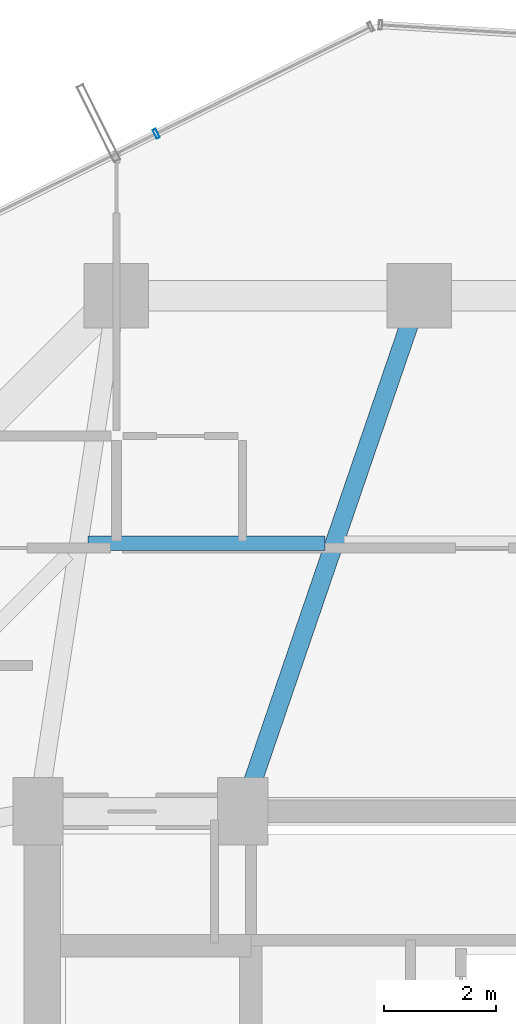
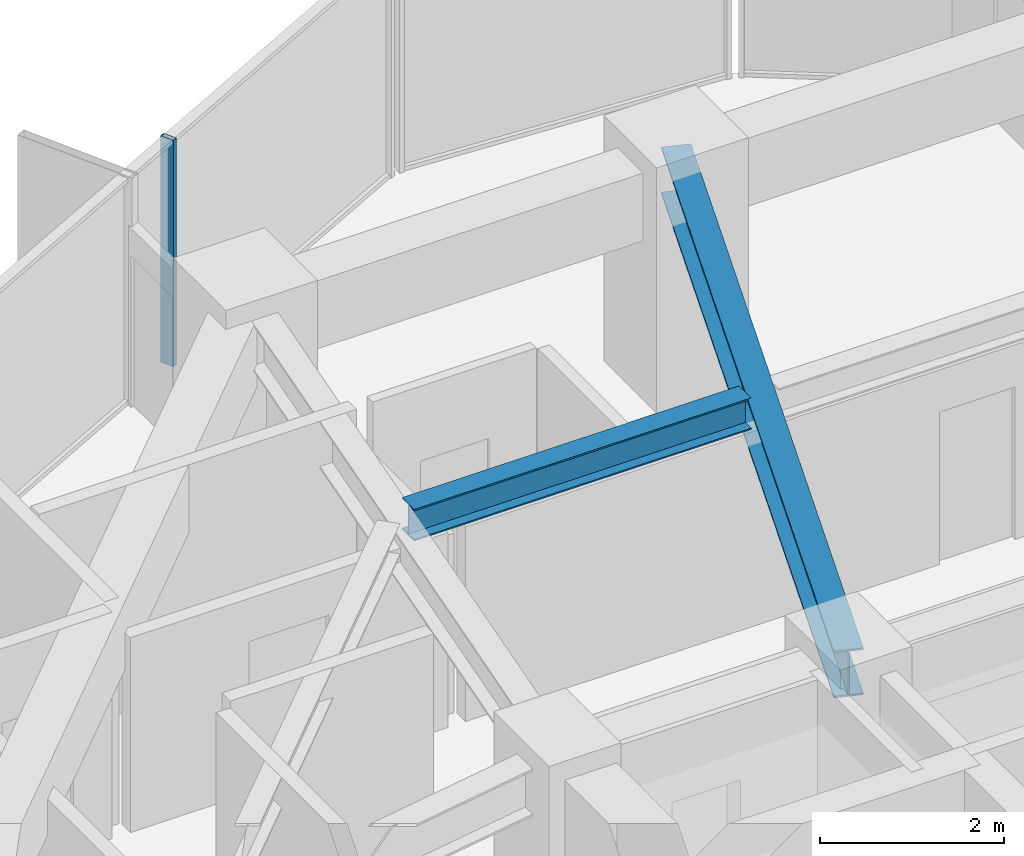
# One storey, part 19 of 30: 2 beams, 1 member, 1 element without a shape of its own.
"""IFC4 building model written with IfcOpenShell, lengths in metres."""

from ifc_helpers import new_model, si_unit, direction, frame, origin, origin_2d, place, context, subcontext, project, spatial, hollow_rectangle, i_section, extrude, source, transform, mapped, material, layer, layer_set, material_profile, profile_set, type_object, element, aggregate, save


model = new_model("IFC4")

# Units and contexts
model_context = context("Model", 3, precision=1e-05, world=origin(), true_north=direction((0.0, 1.0)))
body_context = subcontext(model_context, "Body", "Model", "MODEL_VIEW")
ifc_project = project(units=[si_unit("LENGTHUNIT", "METRE"), si_unit("AREAUNIT", "SQUARE_METRE"), si_unit("VOLUMEUNIT", "CUBIC_METRE"), si_unit("PLANEANGLEUNIT", "RADIAN"), si_unit("MASSUNIT", "GRAM", prefix="KILO")], contexts=[model_context])

# Site, building, storey
site_placement = place(None, origin())
site = spatial("IfcSite", under=ifc_project, at=site_placement, CompositionType="ELEMENT")
building_placement = place(site_placement, origin())
building = spatial("IfcBuilding", under=site, at=building_placement, Name="Veraguas Prism Commons", CompositionType="ELEMENT")
storey_placement = place(building_placement, frame((0.0, 0.0, 116.5)))
storey = spatial("IfcBuildingStorey", under=building, at=storey_placement, Name="L32", CompositionType="ELEMENT", Elevation=116.5)

# Beams
ifc_material_1 = material(Name="Steel ASTM A992 Grade 50", Category="steel")
ifc_material_profile_1 = material_profile(ifc_material_1, i_section(OverallWidth=0.260986328125, OverallDepth=0.419921875, WebThickness=0.01171875, FlangeThickness=0.019287109375, at=origin_2d()), Name="W410X114")
ifc_profile_set_1 = profile_set([ifc_material_profile_1], Name="Steel ASTM A992 Grade 50")
beam_type_1 = type_object("IfcBeamType", Name="Lower Floor Joist W410x114", PredefinedType="JOIST", material=ifc_profile_set_1)
beam_1_placement = place(storey_placement, frame((22.31689453125, 35.783935546875, 2.7900390625), z_axis=(-1.0, 0.0, 0.0), x_axis=(0.0, -1.0, 0.0)))
element("IfcBeam", 1, at=beam_1_placement, inside=storey, type_object=beam_type_1, Name="Composite Floor Joist L32-JS05", PredefinedType="JOIST", context=body_context, shape_type="SweptSolid", body=[
    extrude(i_section(OverallWidth=0.260986328125, OverallDepth=0.419921875, WebThickness=0.01171875, FlangeThickness=0.019287109375, at=origin_2d()), origin(), (0.0, 0.0, 1.0), 4.22509765625),
])
ifc_material_profile_2 = material_profile(ifc_material_1, i_section(OverallWidth=0.327880859375, OverallDepth=0.6220703125, WebThickness=0.015380859375, FlangeThickness=0.0244140625, at=origin_2d()), Name="W610X195")
ifc_profile_set_2 = profile_set([ifc_material_profile_2], Name="Steel ASTM A992 Grade 50")
beam_type_2 = type_object("IfcBeamType", Name="Zone 2 Radial Girder W610x195", PredefinedType="BEAM", material=ifc_profile_set_2)
beam_2_placement = place(storey_placement, frame((24.0, 40.199951171875, 2.68896484375), z_axis=(-0.323922482989, -0.946083624747, 0.0), x_axis=(0.946083624747, -0.323922482989, 0.0)))
element("IfcBeam", 2, at=beam_2_placement, inside=storey, type_object=beam_type_2, Name="Radial Floor Girder L32-RD05", PredefinedType="BEAM", context=body_context, shape_type="SweptSolid", body=[
    extrude(i_section(OverallWidth=0.327880859375, OverallDepth=0.6220703125, WebThickness=0.015380859375, FlangeThickness=0.0244140625, at=origin_2d()), origin(), (0.0, 0.0, 1.0), 9.724365234375),
])

# Curtain wall, member
ifc_material_2 = material(Name="Anodised aluminium EN AW-6063 T6", Category="aluminium")
ifc_layer = layer(ifc_material_2, 0.169921875, Name="Unitised Flush Curtain Wall Zone 2", Category="aluminium")
ifc_layer_set = layer_set([ifc_layer], Name="Anodised aluminium EN AW-6063 T6")
curtain_wall_type = type_object("IfcCurtainWallType", Name="Unitised Flush Curtain Wall Zone 2", PredefinedType="NOTDEFINED", material=ifc_layer_set)
curtain_wall_placement = place(storey_placement, origin())
curtain_wall = element("IfcCurtainWall", 3, at=curtain_wall_placement, inside=storey, type_object=curtain_wall_type, Name="Tower Facade Curtain Wall L32-F2", PredefinedType="NOTDEFINED")
ifc_material_profile_3 = material_profile(ifc_material_2, hollow_rectangle(XDim=0.06005859375, YDim=0.169921875, WallThickness=0.00390625, at=origin_2d()), Name="AL60X170X4")
ifc_profile_set_3 = profile_set([ifc_material_profile_3], Name="Anodised aluminium EN AW-6063 T6")
member_type = type_object("IfcMemberType", Name="Curtain Wall Mullion Lower AL 60x170x4", PredefinedType="MULLION", material=ifc_profile_set_3)
shared_shape = source(origin(), body_context, "Body", "SweptSolid", [
    extrude(hollow_rectangle(XDim=0.06005859375, YDim=0.169921875, WallThickness=0.00390625, at=origin_2d()), origin(), (0.0, 0.0, 1.0), 3.0),
])
member_placement = place(storey_placement, frame((19.31005859375, 43.0927734375, 0.0), z_axis=(0.0, 0.0, 1.0), x_axis=(-0.895244870652, -0.445574484875, 0.0)))
member = element("IfcMember", 4, at=member_placement, type_object=member_type, Name="CW-Z2 Mullion 2", PredefinedType="MULLION", context=body_context, shape_type="MappedRepresentation", body=[
    mapped(shared_shape, transform((0.0, 0.0, 0.0), scale=1.0)),
])
aggregate(curtain_wall, [member])

save(model, "model.ifc")
